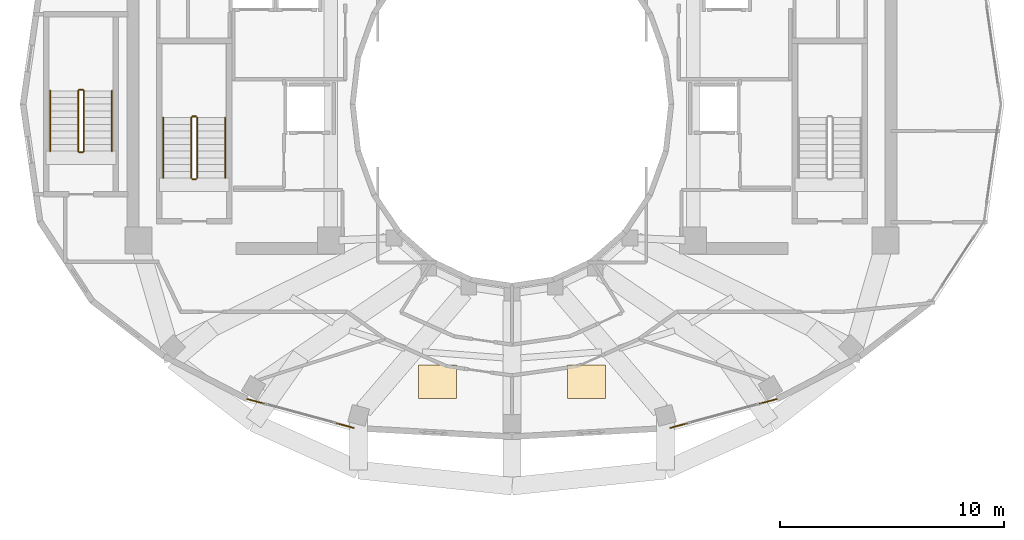
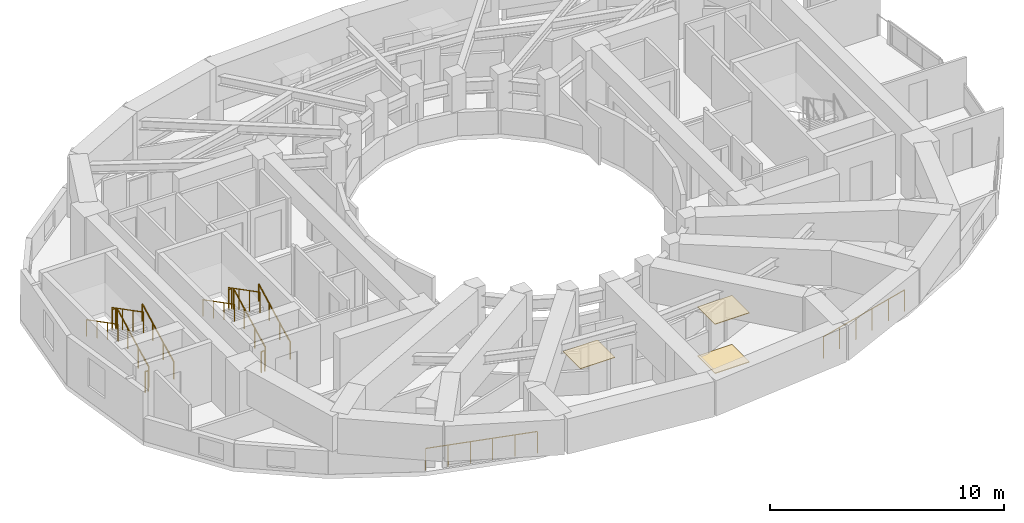
# One storey, part 17 of 19: 14 railings, 3 coverings.
"""IFC4 building model written with IfcOpenShell, lengths in metres."""

from ifc_helpers import new_model, si_unit, direction, frame, origin, origin_2d, place, context, subcontext, project, spatial, polyline, circle, outline, extrude, material, layer, layer_set, type_object, element, save


model = new_model("IFC4")

# Units and contexts
model_context = context("Model", 3, precision=1e-05, world=origin(), true_north=direction((0.0, 1.0)))
body_context = subcontext(model_context, "Body", "Model", "MODEL_VIEW")
ifc_project = project(units=[si_unit("LENGTHUNIT", "METRE"), si_unit("AREAUNIT", "SQUARE_METRE"), si_unit("VOLUMEUNIT", "CUBIC_METRE"), si_unit("PLANEANGLEUNIT", "RADIAN"), si_unit("MASSUNIT", "GRAM", prefix="KILO")], contexts=[model_context])

# Site, building, storey
site_placement = place(None, origin())
site = spatial("IfcSite", under=ifc_project, at=site_placement, CompositionType="ELEMENT")
building_placement = place(site_placement, origin())
building = spatial("IfcBuilding", under=site, at=building_placement, Name="Solvane Sanctuary Tower", CompositionType="ELEMENT")
storey_placement = place(building_placement, frame((0.0, 0.0, 207.800048828125)))
storey = spatial("IfcBuildingStorey", under=building, at=storey_placement, Name="L63", CompositionType="ELEMENT", Elevation=207.800048828125)

# Coverings
ifc_material_1 = material(Name="Acoustic Gypsum Partition Board")
ifc_layer_1 = layer(ifc_material_1, 0.02490234375, Name="Acoustic Gypsum Partition Board")
ifc_layer_set_1 = layer_set([ifc_layer_1], Name="Acoustic Gypsum Partition Board")
covering_type_1 = type_object("IfcCoveringType", Name="Covering CLG-ACOUST", PredefinedType="CEILING", material=ifc_layer_set_1)
covering_1_placement = place(storey_placement, frame((0.0, 0.0, 2.570068359375)))
element("IfcCovering", 1, at=covering_1_placement, inside=storey, type_object=covering_type_1, Name="L63 Unit Acoustic Ceiling Panel 3", PredefinedType="CEILING", context=body_context, shape_type="SweptSolid", body=[
    extrude(outline(polyline([(27.823974609375, 9.837890625), (29.52392578125, 9.837890625), (29.52392578125, 11.337890625), (27.823974609375, 11.337890625), (27.823974609375, 9.837890625)])), origin(), (0.0, 0.0, 1.0), 0.02978515625),
])
covering_2_placement = place(storey_placement, frame((0.0, 0.0, 2.570068359375)))
element("IfcCovering", 2, at=covering_2_placement, inside=storey, type_object=covering_type_1, Name="L63 Unit Acoustic Ceiling Panel 4", PredefinedType="CEILING", context=body_context, shape_type="SweptSolid", body=[
    extrude(outline(polyline([(34.47607421875, 9.837890625), (36.176025390625, 9.837890625), (36.176025390625, 11.337890625), (34.47607421875, 11.337890625), (34.47607421875, 9.837890625)])), origin(), (0.0, 0.0, 1.0), 0.02978515625),
])
ifc_material_2 = material(Name="Ceramic Tile Finish")
ifc_layer_2 = layer(ifc_material_2, 0.030029296875, Name="Ceramic Tile Finish")
ifc_layer_set_2 = layer_set([ifc_layer_2], Name="Ceramic Tile Finish")
covering_type_2 = type_object("IfcCoveringType", Name="Covering FLR-TERRAZZO", PredefinedType="FLOORING", material=ifc_layer_set_2)
covering_3_placement = place(storey_placement, origin())
element("IfcCovering", 3, at=covering_3_placement, inside=storey, type_object=covering_type_2, Name="L63 Unit Terrazzo Inlay 4", PredefinedType="FLOORING", context=body_context, shape_type="SweptSolid", body=[
    extrude(outline(polyline([(34.47607421875, 9.837890625), (36.176025390625, 9.837890625), (36.176025390625, 11.337890625), (34.47607421875, 11.337890625), (34.47607421875, 9.837890625)])), origin(), (0.0, 0.0, 1.0), 0.034912109375),
])

# Railings
ifc_material_3 = material(Name="Architectural Stainless Steel 316", Category="steel")
railing_type_1 = type_object("IfcRailingType", Name="Railing GR-BALC-1150", PredefinedType="BALUSTRADE", material=ifc_material_3)
railing_1_placement = place(storey_placement, frame((20.158935546875, 9.815185546875, 0.0)))
element("IfcRailing", 4, at=railing_1_placement, inside=storey, type_object=railing_type_1, Name="L63 Curtain-Wall Perimeter Sill Guard 16", PredefinedType="BALUSTRADE", context=body_context, shape_type="SweptSolid", body=[
    extrude(circle(Radius=0.02392578125, at=origin_2d()), frame((0.0, 0.0, 1.1259765625), z_axis=(0.965207148119, -0.261486445574, 0.0), x_axis=(0.261486445574, 0.965207148119, 0.0)), (0.0, 0.0, 1.0), 4.94091796875),
    extrude(circle(Radius=0.02099609375, at=origin_2d()), origin(), (0.0, 0.0, 1.0), 1.101806640625),
    extrude(circle(Radius=0.02099609375, at=origin_2d()), frame((0.953857421875, -0.25830078125, 0.0)), (0.0, 0.0, 1.0), 1.101806640625),
    extrude(circle(Radius=0.02099609375, at=origin_2d()), frame((1.90771484375, -0.516845703125, 0.0)), (0.0, 0.0, 1.0), 1.101806640625),
    extrude(circle(Radius=0.02099609375, at=origin_2d()), frame((2.861328125, -0.775146484375, 0.0)), (0.0, 0.0, 1.0), 1.101806640625),
    extrude(circle(Radius=0.02099609375, at=origin_2d()), frame((3.815185546875, -1.03369140625, 0.0)), (0.0, 0.0, 1.0), 1.101806640625),
    extrude(circle(Radius=0.02099609375, at=origin_2d()), frame((4.76904296875, -1.2919921875, 0.0)), (0.0, 0.0, 1.0), 1.101806640625),
])
railing_2_placement = place(storey_placement, frame((39.072021484375, 8.523193359375, 0.0)))
element("IfcRailing", 5, at=railing_2_placement, inside=storey, type_object=railing_type_1, Name="L63 Curtain-Wall Perimeter Sill Guard 19", PredefinedType="BALUSTRADE", context=body_context, shape_type="SweptSolid", body=[
    extrude(circle(Radius=0.02392578125, at=origin_2d()), frame((0.0, 0.0, 1.1259765625), z_axis=(0.965207148119, 0.261486445574, 0.0), x_axis=(-0.261486445574, 0.965207148119, 0.0)), (0.0, 0.0, 1.0), 4.94091796875),
    extrude(circle(Radius=0.02099609375, at=origin_2d()), origin(), (0.0, 0.0, 1.0), 1.101806640625),
    extrude(circle(Radius=0.02099609375, at=origin_2d()), frame((0.953857421875, 0.25830078125, 0.0)), (0.0, 0.0, 1.0), 1.101806640625),
    extrude(circle(Radius=0.02099609375, at=origin_2d()), frame((1.90771484375, 0.516845703125, 0.0)), (0.0, 0.0, 1.0), 1.101806640625),
    extrude(circle(Radius=0.02099609375, at=origin_2d()), frame((2.861328125, 0.775146484375, 0.0)), (0.0, 0.0, 1.0), 1.101806640625),
    extrude(circle(Radius=0.02099609375, at=origin_2d()), frame((3.815185546875, 1.03369140625, 0.0)), (0.0, 0.0, 1.0), 1.101806640625),
    extrude(circle(Radius=0.02099609375, at=origin_2d()), frame((4.76904296875, 1.2919921875, 0.0)), (0.0, 0.0, 1.0), 1.101806640625),
])
railing_3_placement = place(storey_placement, frame((17.919921875, 19.699951171875, 0.155029296875)))
element("IfcRailing", 6, at=railing_3_placement, inside=storey, type_object=railing_type_1, Name="L63 ST-1 stair guard 1", PredefinedType="BALUSTRADE", context=body_context, shape_type="SweptSolid", body=[
    extrude(circle(Radius=0.02392578125, at=origin_2d()), frame((0.0, 0.0, 1.076171875), z_axis=(0.0, 0.888419900624, 0.459031676658), x_axis=(-1.0, 0.0, 0.0)), (0.0, 0.0, 1.0), 3.0390625),
    extrude(circle(Radius=0.02099609375, at=origin_2d()), origin(), (0.0, 0.0, 1.0), 1.052001953125),
    extrude(circle(Radius=0.02099609375, at=origin_2d()), frame((0.0, 0.89990234375, 0.465087890625)), (0.0, 0.0, 1.0), 1.052001953125),
    extrude(circle(Radius=0.02099609375, at=origin_2d()), frame((0.0, 1.800048828125, 0.929931640625)), (0.0, 0.0, 1.0), 1.052001953125),
    extrude(circle(Radius=0.02099609375, at=origin_2d()), frame((0.0, 2.699951171875, 1.39501953125)), (0.0, 0.0, 1.0), 1.052001953125),
])
railing_4_placement = place(storey_placement, frame((17.8701171875, 22.449951171875, 1.550048828125)))
element("IfcRailing", 7, at=railing_4_placement, inside=storey, type_object=railing_type_1, Name="L63 ST-1 stair guard 2", PredefinedType="BALUSTRADE", context=body_context, shape_type="SweptSolid", body=[
    extrude(circle(Radius=0.02392578125, at=origin_2d()), frame((0.0, 0.0, 1.076171875), z_axis=(-1.0, 0.0, 0.0), x_axis=(0.0, -1.0, 0.0)), (0.0, 0.0, 1.0), 0.16015625),
    extrude(circle(Radius=0.02099609375, at=origin_2d()), origin(), (0.0, 0.0, 1.0), 1.052001953125),
    extrude(circle(Radius=0.02099609375, at=origin_2d()), frame((-0.16015625, 0.0, 0.0)), (0.0, 0.0, 1.0), 1.052001953125),
])
railing_5_placement = place(storey_placement, frame((17.659912109375, 22.39990234375, 1.704833984375)))
element("IfcRailing", 8, at=railing_5_placement, inside=storey, type_object=railing_type_1, Name="L63 ST-1 stair guard 3", PredefinedType="BALUSTRADE", context=body_context, shape_type="SweptSolid", body=[
    extrude(circle(Radius=0.02392578125, at=origin_2d()), frame((0.0, 0.0, 1.076171875), z_axis=(0.0, -0.888419900624, 0.459031676658), x_axis=(1.0, 0.0, 0.0)), (0.0, 0.0, 1.0), 3.0390625),
    extrude(circle(Radius=0.02099609375, at=origin_2d()), origin(), (0.0, 0.0, 1.0), 1.052001953125),
    extrude(circle(Radius=0.02099609375, at=origin_2d()), frame((0.0, -0.89990234375, 0.465087890625)), (0.0, 0.0, 1.0), 1.052001953125),
    extrude(circle(Radius=0.02099609375, at=origin_2d()), frame((0.0, -1.800048828125, 0.929931640625)), (0.0, 0.0, 1.0), 1.052001953125),
    extrude(circle(Radius=0.02099609375, at=origin_2d()), frame((0.0, -2.699951171875, 1.39501953125)), (0.0, 0.0, 1.0), 1.052001953125),
])
railing_6_placement = place(storey_placement, frame((17.8701171875, 19.64990234375, 0.0)))
element("IfcRailing", 9, at=railing_6_placement, inside=storey, type_object=railing_type_1, Name="L63 ST-1 stair guard 4", PredefinedType="BALUSTRADE", context=body_context, shape_type="SweptSolid", body=[
    extrude(circle(Radius=0.02392578125, at=origin_2d()), frame((0.0, 0.0, 1.076171875), z_axis=(-1.0, 0.0, 0.0), x_axis=(0.0, -1.0, 0.0)), (0.0, 0.0, 1.0), 0.16015625),
    extrude(circle(Radius=0.02099609375, at=origin_2d()), origin(), (0.0, 0.0, 1.0), 1.052001953125),
    extrude(circle(Radius=0.02099609375, at=origin_2d()), frame((-0.16015625, 0.0, 0.0)), (0.0, 0.0, 1.0), 1.052001953125),
])
railing_7_placement = place(storey_placement, frame((12.860107421875, 20.89990234375, 0.155029296875)))
element("IfcRailing", 10, at=railing_7_placement, inside=storey, type_object=railing_type_1, Name="L63 ST-3 stair guard 1", PredefinedType="BALUSTRADE", context=body_context, shape_type="SweptSolid", body=[
    extrude(circle(Radius=0.02392578125, at=origin_2d()), frame((0.0, 0.0, 1.076171875), z_axis=(0.0, 0.888436826113, 0.458998917216), x_axis=(-1.0, 0.0, 0.0)), (0.0, 0.0, 1.0), 3.039306640625),
    extrude(circle(Radius=0.02099609375, at=origin_2d()), origin(), (0.0, 0.0, 1.0), 1.052001953125),
    extrude(circle(Radius=0.02099609375, at=origin_2d()), frame((0.0, 0.900146484375, 0.465087890625)), (0.0, 0.0, 1.0), 1.052001953125),
    extrude(circle(Radius=0.02099609375, at=origin_2d()), frame((0.0, 1.800048828125, 0.929931640625)), (0.0, 0.0, 1.0), 1.052001953125),
    extrude(circle(Radius=0.02099609375, at=origin_2d()), frame((0.0, 2.7001953125, 1.39501953125)), (0.0, 0.0, 1.0), 1.052001953125),
])
railing_8_placement = place(storey_placement, frame((12.81005859375, 23.64990234375, 1.550048828125)))
element("IfcRailing", 11, at=railing_8_placement, inside=storey, type_object=railing_type_1, Name="L63 ST-3 stair guard 2", PredefinedType="BALUSTRADE", context=body_context, shape_type="SweptSolid", body=[
    extrude(circle(Radius=0.02392578125, at=origin_2d()), frame((0.0, 0.0, 1.076171875), z_axis=(-1.0, 0.0, 0.0), x_axis=(0.0, -1.0, 0.0)), (0.0, 0.0, 1.0), 0.16015625),
    extrude(circle(Radius=0.02099609375, at=origin_2d()), origin(), (0.0, 0.0, 1.0), 1.052001953125),
    extrude(circle(Radius=0.02099609375, at=origin_2d()), frame((-0.16015625, 0.0, 0.0)), (0.0, 0.0, 1.0), 1.052001953125),
])
railing_9_placement = place(storey_placement, frame((12.60009765625, 23.60009765625, 1.704833984375)))
element("IfcRailing", 12, at=railing_9_placement, inside=storey, type_object=railing_type_1, Name="L63 ST-3 stair guard 3", PredefinedType="BALUSTRADE", context=body_context, shape_type="SweptSolid", body=[
    extrude(circle(Radius=0.02392578125, at=origin_2d()), frame((0.0, 0.0, 1.076171875), z_axis=(0.0, -0.888436826113, 0.458998917216), x_axis=(1.0, 0.0, 0.0)), (0.0, 0.0, 1.0), 3.039306640625),
    extrude(circle(Radius=0.02099609375, at=origin_2d()), origin(), (0.0, 0.0, 1.0), 1.052001953125),
    extrude(circle(Radius=0.02099609375, at=origin_2d()), frame((0.0, -0.900146484375, 0.465087890625)), (0.0, 0.0, 1.0), 1.052001953125),
    extrude(circle(Radius=0.02099609375, at=origin_2d()), frame((0.0, -1.800048828125, 0.929931640625)), (0.0, 0.0, 1.0), 1.052001953125),
    extrude(circle(Radius=0.02099609375, at=origin_2d()), frame((0.0, -2.7001953125, 1.39501953125)), (0.0, 0.0, 1.0), 1.052001953125),
])
railing_10_placement = place(storey_placement, frame((12.81005859375, 20.85009765625, 0.0)))
element("IfcRailing", 13, at=railing_10_placement, inside=storey, type_object=railing_type_1, Name="L63 ST-3 stair guard 4", PredefinedType="BALUSTRADE", context=body_context, shape_type="SweptSolid", body=[
    extrude(circle(Radius=0.02392578125, at=origin_2d()), frame((0.0, 0.0, 1.076171875), z_axis=(-1.0, 0.0, 0.0), x_axis=(0.0, -1.0, 0.0)), (0.0, 0.0, 1.0), 0.16015625),
    extrude(circle(Radius=0.02099609375, at=origin_2d()), origin(), (0.0, 0.0, 1.0), 1.052001953125),
    extrude(circle(Radius=0.02099609375, at=origin_2d()), frame((-0.16015625, 0.0, 0.0)), (0.0, 0.0, 1.0), 1.052001953125),
])
railing_type_2 = type_object("IfcRailingType", Name="Railing HR-STAIR-920", PredefinedType="HANDRAIL", material=ifc_material_3)
railing_11_placement = place(storey_placement, frame((19.169921875, 19.699951171875, 0.155029296875)))
element("IfcRailing", 14, at=railing_11_placement, inside=storey, type_object=railing_type_2, Name="L63 ST-1 stair handrail 1", PredefinedType="HANDRAIL", context=body_context, shape_type="SweptSolid", body=[
    extrude(circle(Radius=0.02392578125, at=origin_2d()), frame((0.0, 0.0, 0.8759765625), z_axis=(0.0, 0.888419900624, 0.459031676658), x_axis=(-1.0, 0.0, 0.0)), (0.0, 0.0, 1.0), 3.0390625),
    extrude(circle(Radius=0.02099609375, at=origin_2d()), origin(), (0.0, 0.0, 1.0), 0.851806640625),
    extrude(circle(Radius=0.02099609375, at=origin_2d()), frame((0.0, 0.89990234375, 0.465087890625)), (0.0, 0.0, 1.0), 0.851806640625),
    extrude(circle(Radius=0.02099609375, at=origin_2d()), frame((0.0, 1.800048828125, 0.929931640625)), (0.0, 0.0, 1.0), 0.851806640625),
    extrude(circle(Radius=0.02099609375, at=origin_2d()), frame((0.0, 2.699951171875, 1.39501953125)), (0.0, 0.0, 1.0), 0.851806640625),
])
railing_12_placement = place(storey_placement, frame((16.409912109375, 22.39990234375, 1.704833984375)))
element("IfcRailing", 15, at=railing_12_placement, inside=storey, type_object=railing_type_2, Name="L63 ST-1 stair handrail 2", PredefinedType="HANDRAIL", context=body_context, shape_type="SweptSolid", body=[
    extrude(circle(Radius=0.02392578125, at=origin_2d()), frame((0.0, 0.0, 0.8759765625), z_axis=(0.0, -0.888419900624, 0.459031676658), x_axis=(1.0, 0.0, 0.0)), (0.0, 0.0, 1.0), 3.0390625),
    extrude(circle(Radius=0.02099609375, at=origin_2d()), origin(), (0.0, 0.0, 1.0), 0.851806640625),
    extrude(circle(Radius=0.02099609375, at=origin_2d()), frame((0.0, -0.89990234375, 0.465087890625)), (0.0, 0.0, 1.0), 0.851806640625),
    extrude(circle(Radius=0.02099609375, at=origin_2d()), frame((0.0, -1.800048828125, 0.929931640625)), (0.0, 0.0, 1.0), 0.851806640625),
    extrude(circle(Radius=0.02099609375, at=origin_2d()), frame((0.0, -2.699951171875, 1.39501953125)), (0.0, 0.0, 1.0), 0.851806640625),
])
railing_13_placement = place(storey_placement, frame((14.110107421875, 20.89990234375, 0.155029296875)))
element("IfcRailing", 16, at=railing_13_placement, inside=storey, type_object=railing_type_2, Name="L63 ST-3 stair handrail 1", PredefinedType="HANDRAIL", context=body_context, shape_type="SweptSolid", body=[
    extrude(circle(Radius=0.02392578125, at=origin_2d()), frame((0.0, 0.0, 0.8759765625), z_axis=(0.0, 0.888436826113, 0.458998917216), x_axis=(-1.0, 0.0, 0.0)), (0.0, 0.0, 1.0), 3.039306640625),
    extrude(circle(Radius=0.02099609375, at=origin_2d()), origin(), (0.0, 0.0, 1.0), 0.851806640625),
    extrude(circle(Radius=0.02099609375, at=origin_2d()), frame((0.0, 0.900146484375, 0.465087890625)), (0.0, 0.0, 1.0), 0.851806640625),
    extrude(circle(Radius=0.02099609375, at=origin_2d()), frame((0.0, 1.800048828125, 0.929931640625)), (0.0, 0.0, 1.0), 0.851806640625),
    extrude(circle(Radius=0.02099609375, at=origin_2d()), frame((0.0, 2.7001953125, 1.39501953125)), (0.0, 0.0, 1.0), 0.851806640625),
])
railing_14_placement = place(storey_placement, frame((11.35009765625, 23.60009765625, 1.704833984375)))
element("IfcRailing", 17, at=railing_14_placement, inside=storey, type_object=railing_type_2, Name="L63 ST-3 stair handrail 2", PredefinedType="HANDRAIL", context=body_context, shape_type="SweptSolid", body=[
    extrude(circle(Radius=0.02392578125, at=origin_2d()), frame((0.0, 0.0, 0.8759765625), z_axis=(0.0, -0.888436826113, 0.458998917216), x_axis=(1.0, 0.0, 0.0)), (0.0, 0.0, 1.0), 3.039306640625),
    extrude(circle(Radius=0.02099609375, at=origin_2d()), origin(), (0.0, 0.0, 1.0), 0.851806640625),
    extrude(circle(Radius=0.02099609375, at=origin_2d()), frame((0.0, -0.900146484375, 0.465087890625)), (0.0, 0.0, 1.0), 0.851806640625),
    extrude(circle(Radius=0.02099609375, at=origin_2d()), frame((0.0, -1.800048828125, 0.929931640625)), (0.0, 0.0, 1.0), 0.851806640625),
    extrude(circle(Radius=0.02099609375, at=origin_2d()), frame((0.0, -2.7001953125, 1.39501953125)), (0.0, 0.0, 1.0), 0.851806640625),
])

save(model, "model.ifc")
